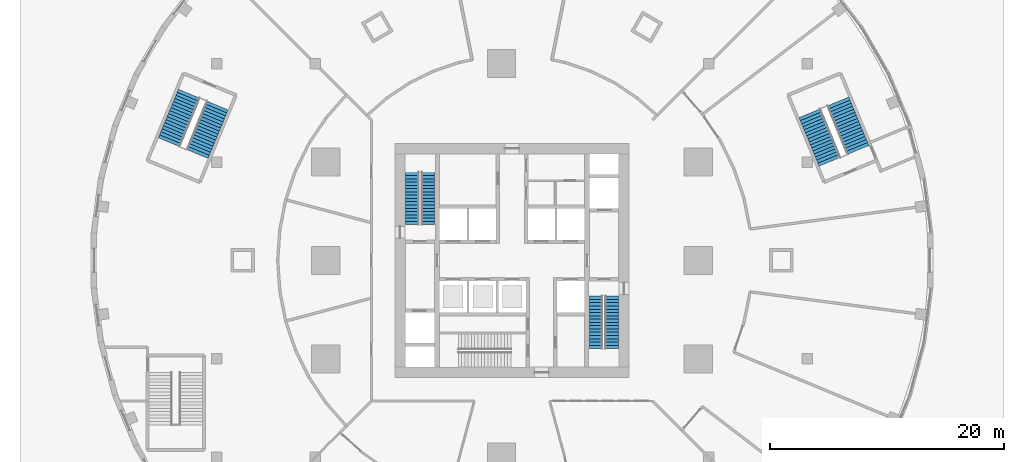
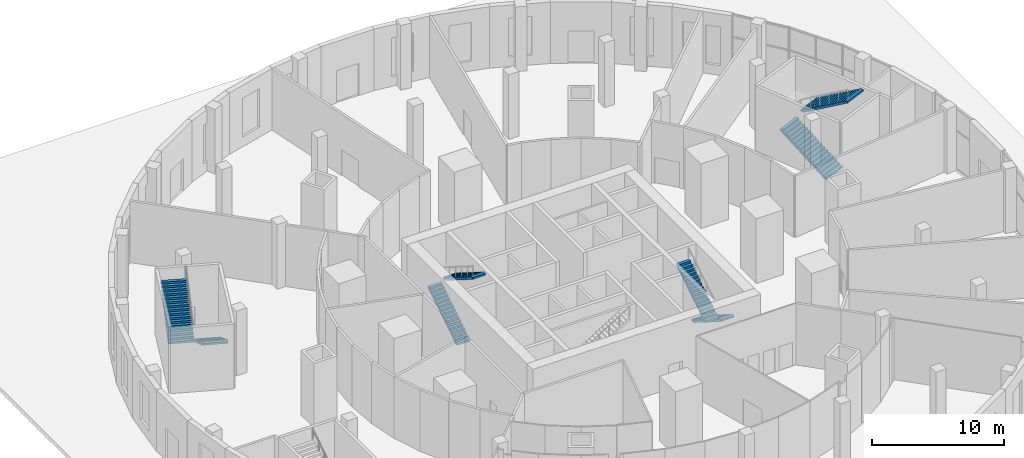
# One storey, part 15 of 19: 8 stair flights, 4 elements without a shape of their own.
"""IFC4 building model written with IfcOpenShell, lengths in metres."""

from ifc_helpers import new_model, si_unit, direction, frame, origin, place, context, subcontext, project, spatial, polyline, outline, extrude, material, type_object, element, aggregate, save


model = new_model("IFC4")

# Units and contexts
model_context = context("Model", 3, precision=1e-05, world=origin(), true_north=direction((0.0, 1.0)))
body_context = subcontext(model_context, "Body", "Model", "MODEL_VIEW")
ifc_project = project(units=[si_unit("LENGTHUNIT", "METRE"), si_unit("AREAUNIT", "SQUARE_METRE"), si_unit("VOLUMEUNIT", "CUBIC_METRE"), si_unit("PLANEANGLEUNIT", "RADIAN"), si_unit("MASSUNIT", "GRAM", prefix="KILO")], contexts=[model_context])

# Site, building, storey
site_placement = place(None, origin())
site = spatial("IfcSite", under=ifc_project, at=site_placement, CompositionType="ELEMENT")
building_placement = place(site_placement, origin())
building = spatial("IfcBuilding", under=site, at=building_placement, Name="Golbaran Civic Tower", CompositionType="ELEMENT")
storey_placement = place(building_placement, origin())
storey = spatial("IfcBuildingStorey", under=building, at=storey_placement, Name="L00", CompositionType="ELEMENT", Elevation=0.0)

# Stair, stair flights
ifc_material = material(Name="Concrete C35/45", Category="concrete")
stair_type_1 = type_object("IfcStairType", Name="EXIT STAIR 2500 x 7350, 6000 RISE", PredefinedType="HALF_TURN_STAIR", material=ifc_material)
stair_1_placement = place(storey_placement, origin())
stair_1 = element("IfcStair", 1, at=stair_1_placement, inside=storey, type_object=stair_type_1, Name="Stair S1 L00", PredefinedType="HALF_TURN_STAIR")
stair_flight_type_1 = type_object("IfcStairFlightType", Name="STAIR FLIGHT 1150 WIDE", PredefinedType="STRAIGHT", material=ifc_material)
stair_flight_1_placement = place(storey_placement, frame((-8.52490234375, 3.050048828125, 0.0), z_axis=(0.0, 0.0, 1.0), x_axis=(0.0, 1.0, 0.0)))
stair_flight_1 = element("IfcStairFlight", 2, at=stair_flight_1_placement, type_object=stair_flight_type_1, Name="ST25074-60 flight 1", NumberOfRisers=17, NumberOfTreads=16, PredefinedType="STRAIGHT", RiserHeight=0.176470588, TreadLength=0.28, context=body_context, shape_type="SweptSolid", body=[
    extrude(outline(polyline([(0.0, 0.0), (0.0, 0.176513671875), (0.280029296875, 0.176513671875), (0.280029296875, 0.35302734375), (0.56005859375, 0.35302734375), (0.56005859375, 0.529296875), (0.840087890625, 0.529296875), (0.840087890625, 0.705810546875), (1.1201171875, 0.705810546875), (1.1201171875, 0.88232421875), (1.39990234375, 0.88232421875), (1.39990234375, 1.058837890625), (1.679931640625, 1.058837890625), (1.679931640625, 1.2353515625), (1.9599609375, 1.2353515625), (1.9599609375, 1.411865234375), (2.239990234375, 1.411865234375), (2.239990234375, 1.588134765625), (2.52001953125, 1.588134765625), (2.52001953125, 1.7646484375), (2.800048828125, 1.7646484375), (2.800048828125, 1.941162109375), (3.080078125, 1.941162109375), (3.080078125, 2.11767578125), (3.360107421875, 2.11767578125), (3.360107421875, 2.294189453125), (3.639892578125, 2.294189453125), (3.639892578125, 2.470703125), (3.919921875, 2.470703125), (3.919921875, 2.64697265625), (4.199951171875, 2.64697265625), (4.199951171875, 2.823486328125), (4.47998046875, 2.823486328125), (4.47998046875, 3.0), (4.47998046875, 2.646240234375), (0.28125, 0.0), (0.0, 0.0)])), frame((0.0, 0.574951171875, 0.0), z_axis=(0.0, -1.0, 0.0), x_axis=(1.0, 0.0, 0.0)), (0.0, 0.0, 1.0), 1.14990234375),
])
stair_flight_2_placement = place(storey_placement, frame((-7.175048828125, 7.530029296875, 3.0), z_axis=(0.0, 0.0, 1.0), x_axis=(0.0, -1.0, 0.0)))
stair_flight_2 = element("IfcStairFlight", 3, at=stair_flight_2_placement, type_object=stair_flight_type_1, Name="ST25074-60 flight 2", NumberOfRisers=17, NumberOfTreads=16, PredefinedType="STRAIGHT", RiserHeight=0.176470588, TreadLength=0.28, context=body_context, shape_type="SweptSolid", body=[
    extrude(outline(polyline([(0.0, 0.0), (0.0, 0.176513671875), (0.280029296875, 0.176513671875), (0.280029296875, 0.35302734375), (0.56005859375, 0.35302734375), (0.56005859375, 0.529296875), (0.840087890625, 0.529296875), (0.840087890625, 0.705810546875), (1.1201171875, 0.705810546875), (1.1201171875, 0.88232421875), (1.39990234375, 0.88232421875), (1.39990234375, 1.058837890625), (1.679931640625, 1.058837890625), (1.679931640625, 1.2353515625), (1.9599609375, 1.2353515625), (1.9599609375, 1.411865234375), (2.239990234375, 1.411865234375), (2.239990234375, 1.588134765625), (2.52001953125, 1.588134765625), (2.52001953125, 1.7646484375), (2.800048828125, 1.7646484375), (2.800048828125, 1.941162109375), (3.080078125, 1.941162109375), (3.080078125, 2.11767578125), (3.360107421875, 2.11767578125), (3.360107421875, 2.294189453125), (3.639892578125, 2.294189453125), (3.639892578125, 2.470703125), (3.919921875, 2.470703125), (3.919921875, 2.64697265625), (4.199951171875, 2.64697265625), (4.199951171875, 2.823486328125), (4.47998046875, 2.823486328125), (4.47998046875, 3.0), (4.47998046875, 2.646240234375), (0.28125, 0.0), (0.0, 0.0)])), frame((0.0, 0.574951171875, 0.0), z_axis=(0.0, -1.0, 0.0), x_axis=(1.0, 0.0, 0.0)), (0.0, 0.0, 1.0), 1.14990234375),
])
aggregate(stair_1, [stair_flight_1, stair_flight_2])

stair_2_placement = place(storey_placement, origin())
stair_2 = element("IfcStair", 4, at=stair_2_placement, inside=storey, type_object=stair_type_1, Name="Stair S2 L00", PredefinedType="HALF_TURN_STAIR")
stair_flight_3_placement = place(storey_placement, frame((8.52490234375, -3.050048828125, 0.0), z_axis=(0.0, 0.0, 1.0), x_axis=(0.0, -1.0, 0.0)))
stair_flight_3 = element("IfcStairFlight", 5, at=stair_flight_3_placement, type_object=stair_flight_type_1, Name="ST25074-60 flight 1", NumberOfRisers=17, NumberOfTreads=16, PredefinedType="STRAIGHT", RiserHeight=0.176470588, TreadLength=0.28, context=body_context, shape_type="SweptSolid", body=[
    extrude(outline(polyline([(0.0, 0.0), (0.0, 0.176513671875), (0.280029296875, 0.176513671875), (0.280029296875, 0.35302734375), (0.56005859375, 0.35302734375), (0.56005859375, 0.529296875), (0.840087890625, 0.529296875), (0.840087890625, 0.705810546875), (1.1201171875, 0.705810546875), (1.1201171875, 0.88232421875), (1.39990234375, 0.88232421875), (1.39990234375, 1.058837890625), (1.679931640625, 1.058837890625), (1.679931640625, 1.2353515625), (1.9599609375, 1.2353515625), (1.9599609375, 1.411865234375), (2.239990234375, 1.411865234375), (2.239990234375, 1.588134765625), (2.52001953125, 1.588134765625), (2.52001953125, 1.7646484375), (2.800048828125, 1.7646484375), (2.800048828125, 1.941162109375), (3.080078125, 1.941162109375), (3.080078125, 2.11767578125), (3.360107421875, 2.11767578125), (3.360107421875, 2.294189453125), (3.639892578125, 2.294189453125), (3.639892578125, 2.470703125), (3.919921875, 2.470703125), (3.919921875, 2.64697265625), (4.199951171875, 2.64697265625), (4.199951171875, 2.823486328125), (4.47998046875, 2.823486328125), (4.47998046875, 3.0), (4.47998046875, 2.646240234375), (0.28125, 0.0), (0.0, 0.0)])), frame((0.0, 0.574951171875, 0.0), z_axis=(0.0, -1.0, 0.0), x_axis=(1.0, 0.0, 0.0)), (0.0, 0.0, 1.0), 1.14990234375),
])
stair_flight_4_placement = place(storey_placement, frame((7.175048828125, -7.530029296875, 3.0), z_axis=(0.0, 0.0, 1.0), x_axis=(0.0, 1.0, 0.0)))
stair_flight_4 = element("IfcStairFlight", 6, at=stair_flight_4_placement, type_object=stair_flight_type_1, Name="ST25074-60 flight 2", NumberOfRisers=17, NumberOfTreads=16, PredefinedType="STRAIGHT", RiserHeight=0.176470588, TreadLength=0.28, context=body_context, shape_type="SweptSolid", body=[
    extrude(outline(polyline([(0.0, 0.0), (0.0, 0.176513671875), (0.280029296875, 0.176513671875), (0.280029296875, 0.35302734375), (0.56005859375, 0.35302734375), (0.56005859375, 0.529296875), (0.840087890625, 0.529296875), (0.840087890625, 0.705810546875), (1.1201171875, 0.705810546875), (1.1201171875, 0.88232421875), (1.39990234375, 0.88232421875), (1.39990234375, 1.058837890625), (1.679931640625, 1.058837890625), (1.679931640625, 1.2353515625), (1.9599609375, 1.2353515625), (1.9599609375, 1.411865234375), (2.239990234375, 1.411865234375), (2.239990234375, 1.588134765625), (2.52001953125, 1.588134765625), (2.52001953125, 1.7646484375), (2.800048828125, 1.7646484375), (2.800048828125, 1.941162109375), (3.080078125, 1.941162109375), (3.080078125, 2.11767578125), (3.360107421875, 2.11767578125), (3.360107421875, 2.294189453125), (3.639892578125, 2.294189453125), (3.639892578125, 2.470703125), (3.919921875, 2.470703125), (3.919921875, 2.64697265625), (4.199951171875, 2.64697265625), (4.199951171875, 2.823486328125), (4.47998046875, 2.823486328125), (4.47998046875, 3.0), (4.47998046875, 2.646240234375), (0.28125, 0.0), (0.0, 0.0)])), frame((0.0, 0.574951171875, 0.0), z_axis=(0.0, -1.0, 0.0), x_axis=(1.0, 0.0, 0.0)), (0.0, 0.0, 1.0), 1.14990234375),
])
aggregate(stair_2, [stair_flight_3, stair_flight_4])

stair_type_2 = type_object("IfcStairType", Name="EXIT STAIR 4600 x 7800, 6000 RISE", PredefinedType="HALF_TURN_STAIR", material=ifc_material)
stair_3_placement = place(storey_placement, origin())
stair_3 = element("IfcStair", 7, at=stair_3_placement, inside=storey, type_object=stair_type_2, Name="Stair P1 L00", PredefinedType="HALF_TURN_STAIR")
stair_flight_type_2 = type_object("IfcStairFlightType", Name="STAIR FLIGHT 2000 WIDE", PredefinedType="STRAIGHT", material=ifc_material)
stair_flight_5_placement = place(storey_placement, frame((27.140869140625, 8.427734375, 0.0), z_axis=(0.0, 0.0, 1.0), x_axis=(-0.382683432365, 0.923879532511, 0.0)))
stair_flight_5 = element("IfcStairFlight", 8, at=stair_flight_5_placement, type_object=stair_flight_type_2, Name="ST46078-60 flight 1", NumberOfRisers=17, NumberOfTreads=16, PredefinedType="STRAIGHT", RiserHeight=0.176470588, TreadLength=0.28, context=body_context, shape_type="SweptSolid", body=[
    extrude(outline(polyline([(0.0, 0.0), (0.0, 0.176513671875), (0.280029296875, 0.176513671875), (0.280029296875, 0.35302734375), (0.56005859375, 0.35302734375), (0.56005859375, 0.529296875), (0.840087890625, 0.529296875), (0.840087890625, 0.705810546875), (1.1201171875, 0.705810546875), (1.1201171875, 0.88232421875), (1.39990234375, 0.88232421875), (1.39990234375, 1.058837890625), (1.679931640625, 1.058837890625), (1.679931640625, 1.2353515625), (1.9599609375, 1.2353515625), (1.9599609375, 1.411865234375), (2.239990234375, 1.411865234375), (2.239990234375, 1.588134765625), (2.52001953125, 1.588134765625), (2.52001953125, 1.7646484375), (2.800048828125, 1.7646484375), (2.800048828125, 1.941162109375), (3.080078125, 1.941162109375), (3.080078125, 2.11767578125), (3.360107421875, 2.11767578125), (3.360107421875, 2.294189453125), (3.639892578125, 2.294189453125), (3.639892578125, 2.470703125), (3.919921875, 2.470703125), (3.919921875, 2.64697265625), (4.199951171875, 2.64697265625), (4.199951171875, 2.823486328125), (4.47998046875, 2.823486328125), (4.47998046875, 3.0), (4.47998046875, 2.646240234375), (0.28125, 0.0), (0.0, 0.0)])), frame((0.0, 1.0, 0.0), z_axis=(0.0, -1.0, 0.0), x_axis=(1.0, 0.0, 0.0)), (0.0, 0.0, 1.0), 2.0),
])
stair_flight_6_placement = place(storey_placement, frame((27.828369140625, 13.561767578125, 3.0), z_axis=(0.0, 0.0, 1.0), x_axis=(0.382683432365, -0.923879532511, 0.0)))
stair_flight_6 = element("IfcStairFlight", 9, at=stair_flight_6_placement, type_object=stair_flight_type_2, Name="ST46078-60 flight 2", NumberOfRisers=17, NumberOfTreads=16, PredefinedType="STRAIGHT", RiserHeight=0.176470588, TreadLength=0.28, context=body_context, shape_type="SweptSolid", body=[
    extrude(outline(polyline([(0.0, 0.0), (0.0, 0.176513671875), (0.280029296875, 0.176513671875), (0.280029296875, 0.35302734375), (0.56005859375, 0.35302734375), (0.56005859375, 0.529296875), (0.840087890625, 0.529296875), (0.840087890625, 0.705810546875), (1.1201171875, 0.705810546875), (1.1201171875, 0.88232421875), (1.39990234375, 0.88232421875), (1.39990234375, 1.058837890625), (1.679931640625, 1.058837890625), (1.679931640625, 1.2353515625), (1.9599609375, 1.2353515625), (1.9599609375, 1.411865234375), (2.239990234375, 1.411865234375), (2.239990234375, 1.588134765625), (2.52001953125, 1.588134765625), (2.52001953125, 1.7646484375), (2.800048828125, 1.7646484375), (2.800048828125, 1.941162109375), (3.080078125, 1.941162109375), (3.080078125, 2.11767578125), (3.360107421875, 2.11767578125), (3.360107421875, 2.294189453125), (3.639892578125, 2.294189453125), (3.639892578125, 2.470703125), (3.919921875, 2.470703125), (3.919921875, 2.64697265625), (4.199951171875, 2.64697265625), (4.199951171875, 2.823486328125), (4.47998046875, 2.823486328125), (4.47998046875, 3.0), (4.47998046875, 2.646240234375), (0.28125, 0.0), (0.0, 0.0)])), frame((0.0, 1.0, 0.0), z_axis=(0.0, -1.0, 0.0), x_axis=(1.0, 0.0, 0.0)), (0.0, 0.0, 1.0), 2.0),
])
aggregate(stair_3, [stair_flight_5, stair_flight_6])

stair_4_placement = place(storey_placement, origin())
stair_4 = element("IfcStair", 10, at=stair_4_placement, inside=storey, type_object=stair_type_2, Name="Stair P2 L00", PredefinedType="HALF_TURN_STAIR")
stair_flight_7_placement = place(storey_placement, frame((-25.15087890625, 13.23193359375, 0.0), z_axis=(0.0, 0.0, 1.0), x_axis=(-0.382683432365, -0.923879532511, 0.0)))
stair_flight_7 = element("IfcStairFlight", 11, at=stair_flight_7_placement, type_object=stair_flight_type_2, Name="ST46078-60 flight 1", NumberOfRisers=17, NumberOfTreads=16, PredefinedType="STRAIGHT", RiserHeight=0.176470588, TreadLength=0.28, context=body_context, shape_type="SweptSolid", body=[
    extrude(outline(polyline([(0.0, 0.0), (0.0, 0.176513671875), (0.280029296875, 0.176513671875), (0.280029296875, 0.35302734375), (0.56005859375, 0.35302734375), (0.56005859375, 0.529296875), (0.840087890625, 0.529296875), (0.840087890625, 0.705810546875), (1.1201171875, 0.705810546875), (1.1201171875, 0.88232421875), (1.39990234375, 0.88232421875), (1.39990234375, 1.058837890625), (1.679931640625, 1.058837890625), (1.679931640625, 1.2353515625), (1.9599609375, 1.2353515625), (1.9599609375, 1.411865234375), (2.239990234375, 1.411865234375), (2.239990234375, 1.588134765625), (2.52001953125, 1.588134765625), (2.52001953125, 1.7646484375), (2.800048828125, 1.7646484375), (2.800048828125, 1.941162109375), (3.080078125, 1.941162109375), (3.080078125, 2.11767578125), (3.360107421875, 2.11767578125), (3.360107421875, 2.294189453125), (3.639892578125, 2.294189453125), (3.639892578125, 2.470703125), (3.919921875, 2.470703125), (3.919921875, 2.64697265625), (4.199951171875, 2.64697265625), (4.199951171875, 2.823486328125), (4.47998046875, 2.823486328125), (4.47998046875, 3.0), (4.47998046875, 2.646240234375), (0.28125, 0.0), (0.0, 0.0)])), frame((0.0, 1.0, 0.0), z_axis=(0.0, -1.0, 0.0), x_axis=(1.0, 0.0, 0.0)), (0.0, 0.0, 1.0), 2.0),
])
stair_flight_8_placement = place(storey_placement, frame((-29.267333984375, 10.088134765625, 3.0), z_axis=(0.0, 0.0, 1.0), x_axis=(0.382683432365, 0.923879532511, 0.0)))
stair_flight_8 = element("IfcStairFlight", 12, at=stair_flight_8_placement, type_object=stair_flight_type_2, Name="ST46078-60 flight 2", NumberOfRisers=17, NumberOfTreads=16, PredefinedType="STRAIGHT", RiserHeight=0.176470588, TreadLength=0.28, context=body_context, shape_type="SweptSolid", body=[
    extrude(outline(polyline([(0.0, 0.0), (0.0, 0.176513671875), (0.280029296875, 0.176513671875), (0.280029296875, 0.35302734375), (0.56005859375, 0.35302734375), (0.56005859375, 0.529296875), (0.840087890625, 0.529296875), (0.840087890625, 0.705810546875), (1.1201171875, 0.705810546875), (1.1201171875, 0.88232421875), (1.39990234375, 0.88232421875), (1.39990234375, 1.058837890625), (1.679931640625, 1.058837890625), (1.679931640625, 1.2353515625), (1.9599609375, 1.2353515625), (1.9599609375, 1.411865234375), (2.239990234375, 1.411865234375), (2.239990234375, 1.588134765625), (2.52001953125, 1.588134765625), (2.52001953125, 1.7646484375), (2.800048828125, 1.7646484375), (2.800048828125, 1.941162109375), (3.080078125, 1.941162109375), (3.080078125, 2.11767578125), (3.360107421875, 2.11767578125), (3.360107421875, 2.294189453125), (3.639892578125, 2.294189453125), (3.639892578125, 2.470703125), (3.919921875, 2.470703125), (3.919921875, 2.64697265625), (4.199951171875, 2.64697265625), (4.199951171875, 2.823486328125), (4.47998046875, 2.823486328125), (4.47998046875, 3.0), (4.47998046875, 2.646240234375), (0.28125, 0.0), (0.0, 0.0)])), frame((0.0, 1.0, 0.0), z_axis=(0.0, -1.0, 0.0), x_axis=(1.0, 0.0, 0.0)), (0.0, 0.0, 1.0), 2.0),
])
aggregate(stair_4, [stair_flight_7, stair_flight_8])

save(model, "model.ifc")
